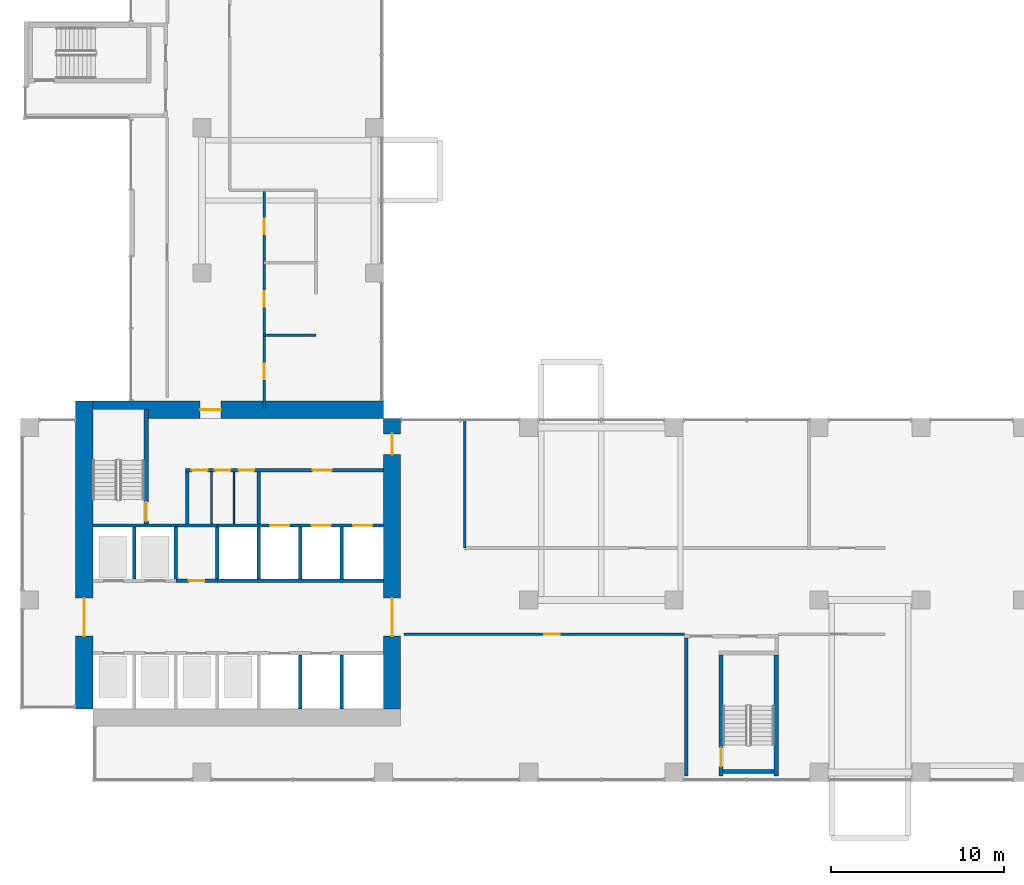
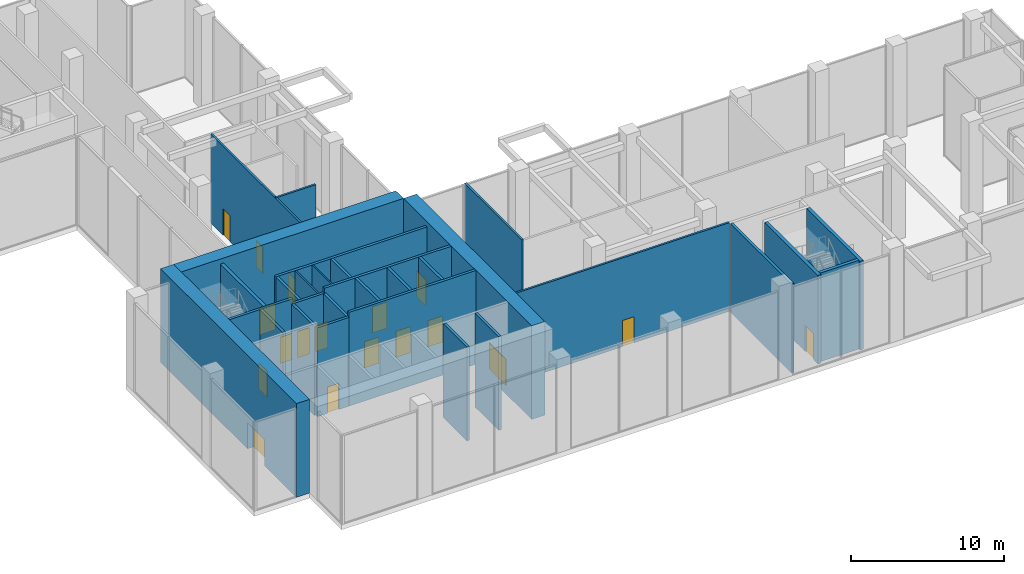
# One storey, part 11 of 18: 30 walls, 18 doors, 18 openings.
"""IFC4 building model written with IfcOpenShell, lengths in metres."""

from ifc_helpers import new_model, si_unit, direction, frame, frame_2d, origin, place, context, subcontext, project, spatial, rectangle, extrude, source, transform, mapped, material, layer, layer_set, type_object, element, fill, save


model = new_model("IFC4")

# Units and contexts
model_context = context("Model", 3, precision=1e-05, world=origin(), true_north=direction((0.0, 1.0)))
body_context = subcontext(model_context, "Body", "Model", "MODEL_VIEW")
ifc_project = project(units=[si_unit("LENGTHUNIT", "METRE"), si_unit("AREAUNIT", "SQUARE_METRE"), si_unit("VOLUMEUNIT", "CUBIC_METRE"), si_unit("PLANEANGLEUNIT", "RADIAN"), si_unit("MASSUNIT", "GRAM", prefix="KILO")], contexts=[model_context])

# Site, building, storey
site_placement = place(None, origin())
site = spatial("IfcSite", under=ifc_project, at=site_placement, CompositionType="ELEMENT")
building_placement = place(site_placement, origin())
building = spatial("IfcBuilding", under=site, at=building_placement, Name="Aurelian Terraces", CompositionType="ELEMENT")
storey_placement = place(building_placement, frame((0.0, 0.0, 170.3)))
storey = spatial("IfcBuildingStorey", under=building, at=storey_placement, Name="L37", CompositionType="ELEMENT", Elevation=170.3)

# Wall, opening, door
ifc_material_1 = material(Name="Concrete fc' 83 MPa", Category="concrete")
ifc_layer_1 = layer(ifc_material_1, 1.0)
ifc_layer_set_1 = layer_set([ifc_layer_1], Name="CORE WALL 1000 FC83")
wall_type_1 = type_object("IfcWallType", Name="CORE WALL 1000 FC83", PredefinedType="SHEAR", material=ifc_layer_set_1)
wall_1_placement = place(storey_placement, frame((3.7, 4.2, 0.0), z_axis=(0.0, 0.0, 1.0), x_axis=(0.0, 1.0, 0.0)))
wall_1 = element("IfcWall", 1, at=wall_1_placement, inside=storey, type_object=wall_type_1, Name="Core wall W L37", PredefinedType="SHEAR", context=body_context, shape_type="SweptSolid", body=[
    extrude(rectangle(XDim=17.8, YDim=1.0, at=frame_2d((8.9, 0.0))), origin(), (0.0, 0.0, 1.0), 7.5),
])
shared_shape_1 = source(origin(), body_context, "Body", "SweptSolid", [
    extrude(rectangle(XDim=2.2, YDim=2.1, at=frame_2d((1.1, 1.05))), frame((0.0, 0.51, 0.0), z_axis=(0.0, -1.0, 0.0), x_axis=(1.0, 0.0, 0.0)), (0.0, 0.0, 1.0), 1.02),
])
opening_1_placement = place(wall_1_placement, frame((4.2, 0.0, 0.0)))
opening_1 = element("IfcOpeningElement", 2, at=opening_1_placement, cuts=wall_1, Name="Opening 64024", PredefinedType="OPENING", context=body_context, shape_type="MappedRepresentation", body=[
    mapped(shared_shape_1, transform((0.0, 0.0, 0.0), scale=1.0)),
])
ifc_material_2 = material(Name="Steel door leaf", Category="steel")
door_type_1 = type_object("IfcDoorType", Name="Core double door 2200x2100", OperationType="DOUBLE_DOOR_SINGLE_SWING", PredefinedType="DOOR", material=ifc_material_2)
shared_shape_2 = source(origin(), body_context, "Body", "SweptSolid", [
    extrude(rectangle(XDim=2.2, YDim=2.1, at=frame_2d((1.1, 1.05))), frame((0.0, 0.025, 0.0), z_axis=(0.0, -1.0, 0.0), x_axis=(1.0, 0.0, 0.0)), (0.0, 0.0, 1.0), 0.05),
])
door_1_placement = place(opening_1_placement, origin())
door_1 = element("IfcDoor", 3, at=door_1_placement, inside=storey, type_object=door_type_1, Name="Core door 64024", OperationType="DOUBLE_DOOR_SINGLE_SWING", OverallHeight=2.1, OverallWidth=2.2, PredefinedType="DOOR", context=body_context, shape_type="MappedRepresentation", body=[
    mapped(shared_shape_2, transform((0.0, 0.0, 0.0), scale=1.0)),
])
fill(opening_1, door_1)

# Wall, openings, doors
wall_2_placement = place(storey_placement, frame((21.5, 4.2, 0.0), z_axis=(0.0, 0.0, 1.0), x_axis=(0.0, 1.0, 0.0)))
wall_2 = element("IfcWall", 4, at=wall_2_placement, inside=storey, type_object=wall_type_1, Name="Core wall E L37", PredefinedType="SHEAR", context=body_context, shape_type="SweptSolid", body=[
    extrude(rectangle(XDim=16.8, YDim=1.0, at=frame_2d((8.4, 0.0))), origin(), (0.0, 0.0, 1.0), 7.5),
])
opening_2_placement = place(wall_2_placement, frame((4.2, 0.0, 0.0)))
opening_2 = element("IfcOpeningElement", 5, at=opening_2_placement, cuts=wall_2, Name="Opening 64023", PredefinedType="OPENING", context=body_context, shape_type="MappedRepresentation", body=[
    mapped(shared_shape_1, transform((0.0, 0.0, 0.0), scale=1.0)),
])
shared_shape_3 = source(origin(), body_context, "Body", "SweptSolid", [
    extrude(rectangle(XDim=1.2, YDim=2.1, at=frame_2d((0.6, 1.05))), frame((0.0, 0.51, 0.0), z_axis=(0.0, -1.0, 0.0), x_axis=(1.0, 0.0, 0.0)), (0.0, 0.0, 1.0), 1.02),
])
opening_3_placement = place(wall_2_placement, frame((14.7, 0.0, 0.0)))
opening_3 = element("IfcOpeningElement", 6, at=opening_3_placement, cuts=wall_2, Name="Opening 64026", PredefinedType="OPENING", context=body_context, shape_type="MappedRepresentation", body=[
    mapped(shared_shape_3, transform((0.0, 0.0, 0.0), scale=1.0)),
])
door_type_2 = type_object("IfcDoorType", Name="Core fire door 1200x2100 right", OperationType="SINGLE_SWING_RIGHT", PredefinedType="DOOR", material=ifc_material_2)
shared_shape_4 = source(origin(), body_context, "Body", "SweptSolid", [
    extrude(rectangle(XDim=1.2, YDim=2.1, at=frame_2d((0.6, 1.05))), frame((0.0, 0.025, 0.0), z_axis=(0.0, -1.0, 0.0), x_axis=(1.0, 0.0, 0.0)), (0.0, 0.0, 1.0), 0.05),
])
door_2_placement = place(opening_3_placement, origin())
door_2 = element("IfcDoor", 7, at=door_2_placement, inside=storey, type_object=door_type_2, Name="Core door 64026", OperationType="SINGLE_SWING_RIGHT", OverallHeight=2.1, OverallWidth=1.2, PredefinedType="DOOR", context=body_context, shape_type="MappedRepresentation", body=[
    mapped(shared_shape_4, transform((0.0, 0.0, 0.0), scale=1.0)),
])
fill(opening_3, door_2)
door_3_placement = place(opening_2_placement, origin())
door_3 = element("IfcDoor", 8, at=door_3_placement, inside=storey, type_object=door_type_1, Name="Core door 64023", OperationType="DOUBLE_DOOR_SINGLE_SWING", OverallHeight=2.1, OverallWidth=2.2, PredefinedType="DOOR", context=body_context, shape_type="MappedRepresentation", body=[
    mapped(shared_shape_2, transform((0.0, 0.0, 0.0), scale=1.0)),
])
fill(opening_2, door_3)

# Walls
ifc_material_3 = material(Name="Gypsum board on steel studs", Category="steel")
ifc_layer_2 = layer(ifc_material_3, 0.1)
ifc_layer_set_2 = layer_set([ifc_layer_2], Name="Core partition 100")
wall_type_2 = type_object("IfcWallType", Name="Core partition 100", PredefinedType="PARTITIONING", material=ifc_layer_set_2)
wall_3_placement = place(storey_placement, frame((11.05, 14.9, 0.0), z_axis=(0.0, 0.0, 1.0), x_axis=(0.0, 1.0, 0.0)))
element("IfcWall", 9, at=wall_3_placement, inside=storey, type_object=wall_type_2, Name="L37 core wall CP-SV1", PredefinedType="PARTITIONING", context=body_context, shape_type="SweptSolid", body=[
    extrude(rectangle(XDim=3.0, YDim=0.1, at=frame_2d((1.5, 0.0))), origin(), (0.0, 0.0, 1.0), 7.1),
])
ifc_layer_3 = layer(ifc_material_3, 0.2)
ifc_layer_set_3 = layer_set([ifc_layer_3], Name="Core partition 200")
wall_type_3 = type_object("IfcWallType", Name="Core partition 200", PredefinedType="PARTITIONING", material=ifc_layer_set_3)
wall_4_placement = place(storey_placement, frame((9.65, 14.9, 0.0), z_axis=(0.0, 0.0, 1.0), x_axis=(0.0, 1.0, 0.0)))
element("IfcWall", 10, at=wall_4_placement, inside=storey, type_object=wall_type_3, Name="L37 core wall CP-VEST", PredefinedType="PARTITIONING", context=body_context, shape_type="SweptSolid", body=[
    extrude(rectangle(XDim=3.0, YDim=0.2, at=frame_2d((1.5, 0.0))), origin(), (0.0, 0.0, 1.0), 7.1),
])

# Wall, openings, doors
wall_5_placement = place(storey_placement, frame((9.55, 18.0, 0.0), z_axis=(0.0, 0.0, 1.0), x_axis=(1.0, 0.0, 0.0)))
wall_5 = element("IfcWall", 11, at=wall_5_placement, inside=storey, type_object=wall_type_3, Name="L37 core wall CP-NORTH", PredefinedType="PARTITIONING", context=body_context, shape_type="SweptSolid", body=[
    extrude(rectangle(XDim=11.45, YDim=0.2, at=frame_2d((5.725, 0.0))), origin(), (0.0, 0.0, 1.0), 7.1),
])
shared_shape_5 = source(origin(), body_context, "Body", "SweptSolid", [
    extrude(rectangle(XDim=0.9, YDim=2.1, at=frame_2d((0.45, 1.05))), frame((0.0, 0.11, 0.0), z_axis=(0.0, -1.0, 0.0), x_axis=(1.0, 0.0, 0.0)), (0.0, 0.0, 1.0), 0.22),
])
opening_4_placement = place(wall_5_placement, frame((0.375, 0.0, 0.0)))
opening_4 = element("IfcOpeningElement", 12, at=opening_4_placement, cuts=wall_5, Name="Opening 64013", PredefinedType="OPENING", context=body_context, shape_type="MappedRepresentation", body=[
    mapped(shared_shape_5, transform((0.0, 0.0, 0.0), scale=1.0)),
])
opening_5_placement = place(wall_5_placement, frame((1.7, 0.0, 0.0)))
opening_5 = element("IfcOpeningElement", 13, at=opening_5_placement, cuts=wall_5, Name="Opening 64014", PredefinedType="OPENING", context=body_context, shape_type="MappedRepresentation", body=[
    mapped(shared_shape_5, transform((0.0, 0.0, 0.0), scale=1.0)),
])
opening_6_placement = place(wall_5_placement, frame((3.075, 0.0, 0.0)))
opening_6 = element("IfcOpeningElement", 14, at=opening_6_placement, cuts=wall_5, Name="Opening 64015", PredefinedType="OPENING", context=body_context, shape_type="MappedRepresentation", body=[
    mapped(shared_shape_5, transform((0.0, 0.0, 0.0), scale=1.0)),
])
shared_shape_6 = source(origin(), body_context, "Body", "SweptSolid", [
    extrude(rectangle(XDim=1.1, YDim=2.1, at=frame_2d((0.55, 1.05))), frame((0.0, 0.11, 0.0), z_axis=(0.0, -1.0, 0.0), x_axis=(1.0, 0.0, 0.0)), (0.0, 0.0, 1.0), 0.22),
])
opening_7_placement = place(wall_5_placement, frame((7.35, 0.0, 0.0)))
opening_7 = element("IfcOpeningElement", 15, at=opening_7_placement, cuts=wall_5, Name="Opening 64016", PredefinedType="OPENING", context=body_context, shape_type="MappedRepresentation", body=[
    mapped(shared_shape_6, transform((0.0, 0.0, 0.0), scale=1.0)),
])
door_type_3 = type_object("IfcDoorType", Name="Core riser door 900x2100 right", OperationType="SINGLE_SWING_RIGHT", PredefinedType="DOOR", material=ifc_material_2)
shared_shape_7 = source(origin(), body_context, "Body", "SweptSolid", [
    extrude(rectangle(XDim=0.9, YDim=2.1, at=frame_2d((0.45, 1.05))), frame((0.0, 0.025, 0.0), z_axis=(0.0, -1.0, 0.0), x_axis=(1.0, 0.0, 0.0)), (0.0, 0.0, 1.0), 0.05),
])
door_4_placement = place(opening_4_placement, origin())
door_4 = element("IfcDoor", 16, at=door_4_placement, inside=storey, type_object=door_type_3, Name="Room door 64013", OperationType="SINGLE_SWING_RIGHT", OverallHeight=2.1, OverallWidth=0.9, PredefinedType="DOOR", context=body_context, shape_type="MappedRepresentation", body=[
    mapped(shared_shape_7, transform((0.0, 0.0, 0.0), scale=1.0)),
])
fill(opening_4, door_4)
door_type_4 = type_object("IfcDoorType", Name="Core service door 900x2100", OperationType="SINGLE_SWING_LEFT", PredefinedType="DOOR", material=ifc_material_2)
door_5_placement = place(opening_5_placement, origin())
door_5 = element("IfcDoor", 17, at=door_5_placement, inside=storey, type_object=door_type_4, Name="Room door 64014", OperationType="SINGLE_SWING_LEFT", OverallHeight=2.1, OverallWidth=0.9, PredefinedType="DOOR", context=body_context, shape_type="MappedRepresentation", body=[
    mapped(shared_shape_7, transform((0.0, 0.0, 0.0), scale=1.0)),
])
fill(opening_5, door_5)
door_type_5 = type_object("IfcDoorType", Name="Core service door 900x2100 right", OperationType="SINGLE_SWING_RIGHT", PredefinedType="DOOR", material=ifc_material_2)
door_6_placement = place(opening_6_placement, origin())
door_6 = element("IfcDoor", 18, at=door_6_placement, inside=storey, type_object=door_type_5, Name="Room door 64015", OperationType="SINGLE_SWING_RIGHT", OverallHeight=2.1, OverallWidth=0.9, PredefinedType="DOOR", context=body_context, shape_type="MappedRepresentation", body=[
    mapped(shared_shape_7, transform((0.0, 0.0, 0.0), scale=1.0)),
])
fill(opening_6, door_6)
door_type_6 = type_object("IfcDoorType", Name="Core fire door 1100x2100", OperationType="SINGLE_SWING_LEFT", PredefinedType="DOOR", material=ifc_material_2)
shared_shape_8 = source(origin(), body_context, "Body", "SweptSolid", [
    extrude(rectangle(XDim=1.1, YDim=2.1, at=frame_2d((0.55, 1.05))), frame((0.0, 0.025, 0.0), z_axis=(0.0, -1.0, 0.0), x_axis=(1.0, 0.0, 0.0)), (0.0, 0.0, 1.0), 0.05),
])
door_7_placement = place(opening_7_placement, origin())
door_7 = element("IfcDoor", 19, at=door_7_placement, inside=storey, type_object=door_type_6, Name="Ff lobby door 64016", OperationType="SINGLE_SWING_LEFT", OverallHeight=2.1, OverallWidth=1.1, PredefinedType="DOOR", context=body_context, shape_type="MappedRepresentation", body=[
    mapped(shared_shape_8, transform((0.0, 0.0, 0.0), scale=1.0)),
])
fill(opening_7, door_7)

# Walls
wall_6_placement = place(storey_placement, frame((38.5, 0.3, 0.0), z_axis=(0.0, 0.0, 1.0), x_axis=(0.0, 1.0, 0.0)))
element("IfcWall", 20, at=wall_6_placement, inside=storey, type_object=wall_type_3, Name="L37 core wall ST-S2-VW", PredefinedType="PARTITIONING", context=body_context, shape_type="SweptSolid", body=[
    extrude(rectangle(XDim=8.0, YDim=0.2, at=frame_2d((4.0, 0.0))), origin(), (0.0, 0.0, 1.0), 7.1),
])
ifc_material_4 = material(Name="Concrete fc' 40 MPa", Category="concrete")
ifc_layer_4 = layer(ifc_material_4, 0.2)
ifc_layer_set_4 = layer_set([ifc_layer_4], Name="Lift shaft wall 200")
wall_type_4 = type_object("IfcWallType", Name="Lift shaft wall 200", PredefinedType="SOLIDWALL", material=ifc_layer_set_4)
wall_7_placement = place(storey_placement, frame((9.0, 11.7, 0.0), z_axis=(0.0, 0.0, 1.0), x_axis=(0.0, 1.0, 0.0)))
element("IfcWall", 21, at=wall_7_placement, inside=storey, type_object=wall_type_4, Name="L37 core wall CD-B2", PredefinedType="SOLIDWALL", context=body_context, shape_type="SweptSolid", body=[
    extrude(rectangle(XDim=3.0, YDim=0.2, at=frame_2d((1.5, 0.0))), origin(), (0.0, 0.0, 1.0), 7.1),
])

# Wall, opening, door
wall_8_placement = place(storey_placement, frame((9.0, 11.6, 0.0), z_axis=(0.0, 0.0, 1.0), x_axis=(1.0, 0.0, 0.0)))
wall_8 = element("IfcWall", 22, at=wall_8_placement, inside=storey, type_object=wall_type_4, Name="L37 core wall CF-BF2", PredefinedType="SOLIDWALL", context=body_context, shape_type="SweptSolid", body=[
    extrude(rectangle(XDim=2.4, YDim=0.2, at=frame_2d((1.2, 0.0))), origin(), (0.0, 0.0, 1.0), 7.1),
])
opening_8_placement = place(wall_8_placement, frame((0.75, 0.0, 0.0)))
opening_8 = element("IfcOpeningElement", 23, at=opening_8_placement, cuts=wall_8, Name="Opening 64008", PredefinedType="OPENING", context=body_context, shape_type="MappedRepresentation", body=[
    mapped(shared_shape_5, transform((0.0, 0.0, 0.0), scale=1.0)),
])
door_8_placement = place(opening_8_placement, origin())
door_8 = element("IfcDoor", 24, at=door_8_placement, inside=storey, type_object=door_type_4, Name="Room door 64008", OperationType="SINGLE_SWING_LEFT", OverallHeight=2.1, OverallWidth=0.9, PredefinedType="DOOR", context=body_context, shape_type="MappedRepresentation", body=[
    mapped(shared_shape_7, transform((0.0, 0.0, 0.0), scale=1.0)),
])
fill(opening_8, door_8)

# Wall
wall_9_placement = place(storey_placement, frame((11.4, 11.6, 0.0), z_axis=(0.0, 0.0, 1.0), x_axis=(1.0, 0.0, 0.0)))
element("IfcWall", 25, at=wall_9_placement, inside=storey, type_object=wall_type_4, Name="L37 core wall CF-BF3", PredefinedType="SOLIDWALL", context=body_context, shape_type="SweptSolid", body=[
    extrude(rectangle(XDim=9.6, YDim=0.2, at=frame_2d((4.8, 0.0))), origin(), (0.0, 0.0, 1.0), 7.5),
])

# Wall, opening, door
ifc_layer_5 = layer(ifc_material_3, 0.15)
ifc_layer_set_5 = layer_set([ifc_layer_5], Name="Special partition 150")
wall_type_5 = type_object("IfcWallType", Name="Special partition 150", PredefinedType="PARTITIONING", material=ifc_layer_set_5)
wall_10_placement = place(storey_placement, frame((22.2, 8.5, 0.0), z_axis=(0.0, 0.0, 1.0), x_axis=(1.0, 0.0, 0.0)))
wall_10 = element("IfcWall", 26, at=wall_10_placement, inside=storey, type_object=wall_type_5, Name="L37 partition W01", PredefinedType="PARTITIONING", context=body_context, shape_type="SweptSolid", body=[
    extrude(rectangle(XDim=16.2, YDim=0.15, at=frame_2d((8.1, 0.0))), origin(), (0.0, 0.0, 1.0), 7.1),
])
shared_shape_9 = source(origin(), body_context, "Body", "SweptSolid", [
    extrude(rectangle(XDim=0.9, YDim=2.1, at=frame_2d((0.45, 1.05))), frame((0.0, 0.085, 0.0), z_axis=(0.0, -1.0, 0.0), x_axis=(1.0, 0.0, 0.0)), (0.0, 0.0, 1.0), 0.17),
])
opening_9_placement = place(wall_10_placement, frame((8.1, 0.0, 0.0)))
opening_9 = element("IfcOpeningElement", 27, at=opening_9_placement, cuts=wall_10, Name="Opening 74001", PredefinedType="OPENING", context=body_context, shape_type="MappedRepresentation", body=[
    mapped(shared_shape_9, transform((0.0, 0.0, 0.0), scale=1.0)),
])
ifc_material_5 = material(Name="Timber door leaf", Category="wood")
door_type_7 = type_object("IfcDoorType", Name="Special door 900x2100", OperationType="SINGLE_SWING_LEFT", PredefinedType="DOOR", material=ifc_material_5)
door_9_placement = place(opening_9_placement, origin())
door_9 = element("IfcDoor", 28, at=door_9_placement, inside=storey, type_object=door_type_7, Name="Door 74001", OperationType="SINGLE_SWING_LEFT", OverallHeight=2.1, OverallWidth=0.9, PredefinedType="DOOR", context=body_context, shape_type="MappedRepresentation", body=[
    mapped(shared_shape_7, transform((0.0, 0.0, 0.0), scale=1.0)),
])
fill(opening_9, door_9)

# Wall
wall_11_placement = place(storey_placement, frame((14.1, 25.8, 0.0), z_axis=(0.0, 0.0, 1.0), x_axis=(1.0, 0.0, 0.0)))
element("IfcWall", 29, at=wall_11_placement, inside=storey, type_object=wall_type_5, Name="L37 partition W04", PredefinedType="PARTITIONING", context=body_context, shape_type="SweptSolid", body=[
    extrude(rectangle(XDim=3.0, YDim=0.15, at=frame_2d((1.5, 0.0))), origin(), (0.0, 0.0, 1.0), 7.1),
])

# Wall, openings, doors
wall_12_placement = place(storey_placement, frame((14.1, 21.6, 0.0), z_axis=(0.0, 0.0, 1.0), x_axis=(0.0, 1.0, 0.0)))
wall_12 = element("IfcWall", 30, at=wall_12_placement, inside=storey, type_object=wall_type_5, Name="L37 partition W10", PredefinedType="PARTITIONING", context=body_context, shape_type="SweptSolid", body=[
    extrude(rectangle(XDim=12.6, YDim=0.15, at=frame_2d((6.3, 0.0))), origin(), (0.0, 0.0, 1.0), 7.1),
])
opening_10_placement = place(wall_12_placement, frame((1.65, 0.0, 0.0)))
opening_10 = element("IfcOpeningElement", 31, at=opening_10_placement, cuts=wall_12, Name="Opening 74008", PredefinedType="OPENING", context=body_context, shape_type="MappedRepresentation", body=[
    mapped(shared_shape_9, transform((0.0, 0.0, 0.0), scale=1.0)),
])
opening_11_placement = place(wall_12_placement, frame((5.85, 0.0, 0.0)))
opening_11 = element("IfcOpeningElement", 32, at=opening_11_placement, cuts=wall_12, Name="Opening 74009", PredefinedType="OPENING", context=body_context, shape_type="MappedRepresentation", body=[
    mapped(shared_shape_9, transform((0.0, 0.0, 0.0), scale=1.0)),
])
opening_12_placement = place(wall_12_placement, frame((10.05, 0.0, 0.0)))
opening_12 = element("IfcOpeningElement", 33, at=opening_12_placement, cuts=wall_12, Name="Opening 74010", PredefinedType="OPENING", context=body_context, shape_type="MappedRepresentation", body=[
    mapped(shared_shape_9, transform((0.0, 0.0, 0.0), scale=1.0)),
])
door_type_8 = type_object("IfcDoorType", Name="Special door 900x2100 right", OperationType="SINGLE_SWING_RIGHT", PredefinedType="DOOR", material=ifc_material_5)
door_10_placement = place(opening_10_placement, origin())
door_10 = element("IfcDoor", 34, at=door_10_placement, inside=storey, type_object=door_type_8, Name="Door 74008", OperationType="SINGLE_SWING_RIGHT", OverallHeight=2.1, OverallWidth=0.9, PredefinedType="DOOR", context=body_context, shape_type="MappedRepresentation", body=[
    mapped(shared_shape_7, transform((0.0, 0.0, 0.0), scale=1.0)),
])
fill(opening_10, door_10)
door_11_placement = place(opening_11_placement, origin())
door_11 = element("IfcDoor", 35, at=door_11_placement, inside=storey, type_object=door_type_7, Name="Door 74009", OperationType="SINGLE_SWING_LEFT", OverallHeight=2.1, OverallWidth=0.9, PredefinedType="DOOR", context=body_context, shape_type="MappedRepresentation", body=[
    mapped(shared_shape_7, transform((0.0, 0.0, 0.0), scale=1.0)),
])
fill(opening_11, door_11)
door_12_placement = place(opening_12_placement, origin())
door_12 = element("IfcDoor", 36, at=door_12_placement, inside=storey, type_object=door_type_8, Name="Door 74010", OperationType="SINGLE_SWING_RIGHT", OverallHeight=2.1, OverallWidth=0.9, PredefinedType="DOOR", context=body_context, shape_type="MappedRepresentation", body=[
    mapped(shared_shape_7, transform((0.0, 0.0, 0.0), scale=1.0)),
])
fill(opening_12, door_12)

# Wall
wall_13_placement = place(storey_placement, frame((25.7, 13.5, 0.0), z_axis=(0.0, 0.0, 1.0), x_axis=(0.0, 1.0, 0.0)))
element("IfcWall", 37, at=wall_13_placement, inside=storey, type_object=wall_type_5, Name="L37 partition W12", PredefinedType="PARTITIONING", context=body_context, shape_type="SweptSolid", body=[
    extrude(rectangle(XDim=7.5, YDim=0.15, at=frame_2d((3.75, 0.0))), origin(), (0.0, 0.0, 1.0), 7.1),
])

# Wall, opening, door
ifc_layer_6 = layer(ifc_material_4, 0.25)
ifc_layer_set_6 = layer_set([ifc_layer_6], Name="Stair enclosure wall 250")
wall_type_6 = type_object("IfcWallType", Name="Stair enclosure wall 250", PredefinedType="SOLIDWALL", material=ifc_layer_set_6)
wall_14_placement = place(storey_placement, frame((7.275, 14.9, 0.0), z_axis=(0.0, 0.0, 1.0), x_axis=(0.0, 1.0, 0.0)))
wall_14 = element("IfcWall", 38, at=wall_14_placement, inside=storey, type_object=wall_type_6, Name="L37 core wall ST-S1-E", PredefinedType="SOLIDWALL", context=body_context, shape_type="SweptSolid", body=[
    extrude(rectangle(XDim=6.6, YDim=0.25, at=frame_2d((3.3, 0.0))), origin(), (0.0, 0.0, 1.0), 7.1),
])
shared_shape_10 = source(origin(), body_context, "Body", "SweptSolid", [
    extrude(rectangle(XDim=1.1, YDim=2.1, at=frame_2d((0.55, 1.05))), frame((0.0, 0.135, 0.0), z_axis=(0.0, -1.0, 0.0), x_axis=(1.0, 0.0, 0.0)), (0.0, 0.0, 1.0), 0.27),
])
opening_13_placement = place(wall_14_placement, frame((0.15, 0.0, 0.0)))
opening_13 = element("IfcOpeningElement", 39, at=opening_13_placement, cuts=wall_14, Name="Opening 64012", PredefinedType="OPENING", context=body_context, shape_type="MappedRepresentation", body=[
    mapped(shared_shape_10, transform((0.0, 0.0, 0.0), scale=1.0)),
])
door_13_placement = place(opening_13_placement, origin())
door_13 = element("IfcDoor", 40, at=door_13_placement, inside=storey, type_object=door_type_6, Name="Stair door 64012", OperationType="SINGLE_SWING_LEFT", OverallHeight=2.1, OverallWidth=1.1, PredefinedType="DOOR", context=body_context, shape_type="MappedRepresentation", body=[
    mapped(shared_shape_8, transform((0.0, 0.0, 0.0), scale=1.0)),
])
fill(opening_13, door_13)

wall_15_placement = place(storey_placement, frame((40.525, 0.3, 0.0), z_axis=(0.0, 0.0, 1.0), x_axis=(0.0, 1.0, 0.0)))
wall_15 = element("IfcWall", 41, at=wall_15_placement, inside=storey, type_object=wall_type_6, Name="L37 core wall ST-S2-W", PredefinedType="SOLIDWALL", context=body_context, shape_type="SweptSolid", body=[
    extrude(rectangle(XDim=7.0, YDim=0.25, at=frame_2d((3.5, 0.0))), origin(), (0.0, 0.0, 1.0), 7.1),
])
opening_14_placement = place(wall_15_placement, frame((0.55, 0.0, 0.0)))
opening_14 = element("IfcOpeningElement", 42, at=opening_14_placement, cuts=wall_15, Name="Opening 64017", PredefinedType="OPENING", context=body_context, shape_type="MappedRepresentation", body=[
    mapped(shared_shape_10, transform((0.0, 0.0, 0.0), scale=1.0)),
])
door_type_9 = type_object("IfcDoorType", Name="Core fire door 1100x2100 right", OperationType="SINGLE_SWING_RIGHT", PredefinedType="DOOR", material=ifc_material_2)
door_14_placement = place(opening_14_placement, origin())
door_14 = element("IfcDoor", 43, at=door_14_placement, inside=storey, type_object=door_type_9, Name="Stair door 64017", OperationType="SINGLE_SWING_RIGHT", OverallHeight=2.1, OverallWidth=1.1, PredefinedType="DOOR", context=body_context, shape_type="MappedRepresentation", body=[
    mapped(shared_shape_8, transform((0.0, 0.0, 0.0), scale=1.0)),
])
fill(opening_14, door_14)

# Wall
wall_16_placement = place(storey_placement, frame((40.65, 0.575, 0.0), z_axis=(0.0, 0.0, 1.0), x_axis=(1.0, 0.0, 0.0)))
element("IfcWall", 44, at=wall_16_placement, inside=storey, type_object=wall_type_6, Name="L37 core wall ST-S2-SS", PredefinedType="SOLIDWALL", context=body_context, shape_type="SweptSolid", body=[
    extrude(rectangle(XDim=2.95, YDim=0.25, at=frame_2d((1.475, 0.0))), origin(), (0.0, 0.0, 1.0), 7.1),
])

# Wall, opening, door
shared_shape_11 = source(origin(), body_context, "Body", "SweptSolid", [
    extrude(rectangle(XDim=16.8, YDim=1.0, at=frame_2d((8.4, 0.0))), origin(), (0.0, 0.0, 1.0), 7.5),
])
wall_17_placement = place(storey_placement, frame((4.2, 21.5, 0.0), z_axis=(0.0, 0.0, 1.0), x_axis=(1.0, 0.0, 0.0)))
wall_17 = element("IfcWall", 45, at=wall_17_placement, inside=storey, type_object=wall_type_1, Name="Core wall N L37", PredefinedType="SHEAR", context=body_context, shape_type="MappedRepresentation", body=[
    mapped(shared_shape_11, transform((0.0, 0.0, 0.0), scale=1.0)),
])
opening_15_placement = place(wall_17_placement, frame((6.2, 0.0, 0.0)))
opening_15 = element("IfcOpeningElement", 46, at=opening_15_placement, cuts=wall_17, Name="Opening 64025", PredefinedType="OPENING", context=body_context, shape_type="MappedRepresentation", body=[
    mapped(shared_shape_3, transform((0.0, 0.0, 0.0), scale=1.0)),
])
door_type_10 = type_object("IfcDoorType", Name="Core fire door 1200x2100", OperationType="SINGLE_SWING_LEFT", PredefinedType="DOOR", material=ifc_material_2)
door_15_placement = place(opening_15_placement, origin())
door_15 = element("IfcDoor", 47, at=door_15_placement, inside=storey, type_object=door_type_10, Name="Core door 64025", OperationType="SINGLE_SWING_LEFT", OverallHeight=2.1, OverallWidth=1.2, PredefinedType="DOOR", context=body_context, shape_type="MappedRepresentation", body=[
    mapped(shared_shape_4, transform((0.0, 0.0, 0.0), scale=1.0)),
])
fill(opening_15, door_15)

# Walls
shared_shape_12 = source(origin(), body_context, "Body", "SweptSolid", [
    extrude(rectangle(XDim=3.1, YDim=0.2, at=frame_2d((1.55, 0.0))), origin(), (0.0, 0.0, 1.0), 7.5),
])
for number, where, z_axis, x_axis, name in (
    (48, (16.2, 4.2, 0.0), (0.0, 0.0, 1.0), (0.0, 1.0, 0.0), "L37 core wall CD-A5"),
    (49, (18.6, 4.2, 0.0), (0.0, 0.0, 1.0), (0.0, 1.0, 0.0), "L37 core wall CD-A6"),
):
    element("IfcWall", number, at=place(storey_placement, frame(where, z_axis=z_axis, x_axis=x_axis)), inside=storey, type_object=wall_type_4, Name=name, PredefinedType="SOLIDWALL", context=body_context, shape_type="MappedRepresentation", body=[
        mapped(shared_shape_12, transform((0.0, 0.0, 0.0), scale=1.0)),
    ])
shared_shape_13 = source(origin(), body_context, "Body", "SweptSolid", [
    extrude(rectangle(XDim=3.0, YDim=0.2, at=frame_2d((1.5, 0.0))), origin(), (0.0, 0.0, 1.0), 7.5),
])
for number, where, z_axis, x_axis, name in (
    (50, (6.6, 11.7, 0.0), (0.0, 0.0, 1.0), (0.0, 1.0, 0.0), "L37 core wall CD-B1"),
    (51, (13.8, 11.7, 0.0), (0.0, 0.0, 1.0), (0.0, 1.0, 0.0), "L37 core wall CD-B4"),
    (52, (16.2, 11.7, 0.0), (0.0, 0.0, 1.0), (0.0, 1.0, 0.0), "L37 core wall CD-B5"),
    (53, (18.6, 11.7, 0.0), (0.0, 0.0, 1.0), (0.0, 1.0, 0.0), "L37 core wall CD-B6"),
):
    element("IfcWall", number, at=place(storey_placement, frame(where, z_axis=z_axis, x_axis=x_axis)), inside=storey, type_object=wall_type_4, Name=name, PredefinedType="SOLIDWALL", context=body_context, shape_type="MappedRepresentation", body=[
        mapped(shared_shape_13, transform((0.0, 0.0, 0.0), scale=1.0)),
    ])
shared_shape_14 = source(origin(), body_context, "Body", "SweptSolid", [
    extrude(rectangle(XDim=3.0, YDim=0.2, at=frame_2d((1.5, 0.0))), origin(), (0.0, 0.0, 1.0), 7.1),
])
wall_18_placement = place(storey_placement, frame((11.4, 11.7, 0.0), z_axis=(0.0, 0.0, 1.0), x_axis=(0.0, 1.0, 0.0)))
element("IfcWall", 54, at=wall_18_placement, inside=storey, type_object=wall_type_4, Name="L37 core wall CD-B3", PredefinedType="SOLIDWALL", context=body_context, shape_type="MappedRepresentation", body=[
    mapped(shared_shape_14, transform((0.0, 0.0, 0.0), scale=1.0)),
])
shared_shape_15 = source(origin(), body_context, "Body", "SweptSolid", [
    extrude(rectangle(XDim=4.8, YDim=0.2, at=frame_2d((2.4, 0.0))), origin(), (0.0, 0.0, 1.0), 7.5),
])
wall_19_placement = place(storey_placement, frame((4.2, 14.8, 0.0), z_axis=(0.0, 0.0, 1.0), x_axis=(1.0, 0.0, 0.0)))
element("IfcWall", 55, at=wall_19_placement, inside=storey, type_object=wall_type_4, Name="L37 core wall CF-BB1", PredefinedType="SOLIDWALL", context=body_context, shape_type="MappedRepresentation", body=[
    mapped(shared_shape_15, transform((0.0, 0.0, 0.0), scale=1.0)),
])
shared_shape_16 = source(origin(), body_context, "Body", "SweptSolid", [
    extrude(rectangle(XDim=2.4, YDim=0.2, at=frame_2d((1.2, 0.0))), origin(), (0.0, 0.0, 1.0), 7.1),
])
wall_20_placement = place(storey_placement, frame((9.0, 14.8, 0.0), z_axis=(0.0, 0.0, 1.0), x_axis=(1.0, 0.0, 0.0)))
element("IfcWall", 56, at=wall_20_placement, inside=storey, type_object=wall_type_4, Name="L37 core wall CF-BB2", PredefinedType="SOLIDWALL", context=body_context, shape_type="MappedRepresentation", body=[
    mapped(shared_shape_16, transform((0.0, 0.0, 0.0), scale=1.0)),
])

# Wall, openings, doors
shared_shape_17 = source(origin(), body_context, "Body", "SweptSolid", [
    extrude(rectangle(XDim=9.6, YDim=0.2, at=frame_2d((4.8, 0.0))), origin(), (0.0, 0.0, 1.0), 7.5),
])
wall_21_placement = place(storey_placement, frame((11.4, 14.8, 0.0), z_axis=(0.0, 0.0, 1.0), x_axis=(1.0, 0.0, 0.0)))
wall_21 = element("IfcWall", 57, at=wall_21_placement, inside=storey, type_object=wall_type_4, Name="L37 core wall CF-BB3", PredefinedType="SOLIDWALL", context=body_context, shape_type="MappedRepresentation", body=[
    mapped(shared_shape_17, transform((0.0, 0.0, 0.0), scale=1.0)),
])
opening_16_placement = place(wall_21_placement, frame((3.05, 0.0, 0.0)))
opening_16 = element("IfcOpeningElement", 58, at=opening_16_placement, cuts=wall_21, Name="Opening 64009", PredefinedType="OPENING", context=body_context, shape_type="MappedRepresentation", body=[
    mapped(shared_shape_6, transform((0.0, 0.0, 0.0), scale=1.0)),
])
opening_17_placement = place(wall_21_placement, frame((5.45, 0.0, 0.0)))
opening_17 = element("IfcOpeningElement", 59, at=opening_17_placement, cuts=wall_21, Name="Opening 64010", PredefinedType="OPENING", context=body_context, shape_type="MappedRepresentation", body=[
    mapped(shared_shape_6, transform((0.0, 0.0, 0.0), scale=1.0)),
])
opening_18_placement = place(wall_21_placement, frame((7.85, 0.0, 0.0)))
opening_18 = element("IfcOpeningElement", 60, at=opening_18_placement, cuts=wall_21, Name="Opening 64011", PredefinedType="OPENING", context=body_context, shape_type="MappedRepresentation", body=[
    mapped(shared_shape_6, transform((0.0, 0.0, 0.0), scale=1.0)),
])
ifc_material_6 = material(Name="Stainless steel", Category="steel")
door_type_11 = type_object("IfcDoorType", Name="Lift landing door 1100x2100", OperationType="SLIDING_TO_LEFT", PredefinedType="DOOR", material=ifc_material_6)
door_16_placement = place(opening_16_placement, origin())
door_16 = element("IfcDoor", 61, at=door_16_placement, inside=storey, type_object=door_type_11, Name="Lift landing door F1 L37", OperationType="SLIDING_TO_LEFT", OverallHeight=2.1, OverallWidth=1.1, PredefinedType="DOOR", context=body_context, shape_type="MappedRepresentation", body=[
    mapped(shared_shape_8, transform((0.0, 0.0, 0.0), scale=1.0)),
])
fill(opening_16, door_16)
door_17_placement = place(opening_17_placement, origin())
door_17 = element("IfcDoor", 62, at=door_17_placement, inside=storey, type_object=door_type_11, Name="Lift landing door F2 L37", OperationType="SLIDING_TO_LEFT", OverallHeight=2.1, OverallWidth=1.1, PredefinedType="DOOR", context=body_context, shape_type="MappedRepresentation", body=[
    mapped(shared_shape_8, transform((0.0, 0.0, 0.0), scale=1.0)),
])
fill(opening_17, door_17)
door_18_placement = place(opening_18_placement, origin())
door_18 = element("IfcDoor", 63, at=door_18_placement, inside=storey, type_object=door_type_11, Name="Lift landing door F3 L37", OperationType="SLIDING_TO_LEFT", OverallHeight=2.1, OverallWidth=1.1, PredefinedType="DOOR", context=body_context, shape_type="MappedRepresentation", body=[
    mapped(shared_shape_8, transform((0.0, 0.0, 0.0), scale=1.0)),
])
fill(opening_18, door_18)

# Walls
shared_shape_18 = source(origin(), body_context, "Body", "SweptSolid", [
    extrude(rectangle(XDim=3.0, YDim=0.2, at=frame_2d((1.5, 0.0))), origin(), (0.0, 0.0, 1.0), 7.1),
])
wall_22_placement = place(storey_placement, frame((13.8, 14.9, 0.0), z_axis=(0.0, 0.0, 1.0), x_axis=(0.0, 1.0, 0.0)))
element("IfcWall", 64, at=wall_22_placement, inside=storey, type_object=wall_type_3, Name="L37 core wall CP-FFL", PredefinedType="PARTITIONING", context=body_context, shape_type="MappedRepresentation", body=[
    mapped(shared_shape_18, transform((0.0, 0.0, 0.0), scale=1.0)),
])
shared_shape_19 = source(origin(), body_context, "Body", "SweptSolid", [
    extrude(rectangle(XDim=3.0, YDim=0.1, at=frame_2d((1.5, 0.0))), origin(), (0.0, 0.0, 1.0), 7.1),
])
wall_23_placement = place(storey_placement, frame((12.35, 14.9, 0.0), z_axis=(0.0, 0.0, 1.0), x_axis=(0.0, 1.0, 0.0)))
element("IfcWall", 65, at=wall_23_placement, inside=storey, type_object=wall_type_2, Name="L37 core wall CP-SV2", PredefinedType="PARTITIONING", context=body_context, shape_type="MappedRepresentation", body=[
    mapped(shared_shape_19, transform((0.0, 0.0, 0.0), scale=1.0)),
])
shared_shape_20 = source(origin(), body_context, "Body", "SweptSolid", [
    extrude(rectangle(XDim=7.0, YDim=0.25, at=frame_2d((3.5, 0.0))), origin(), (0.0, 0.0, 1.0), 7.1),
])
wall_24_placement = place(storey_placement, frame((43.725, 0.3, 0.0), z_axis=(0.0, 0.0, 1.0), x_axis=(0.0, 1.0, 0.0)))
element("IfcWall", 66, at=wall_24_placement, inside=storey, type_object=wall_type_6, Name="L37 core wall ST-S2-E", PredefinedType="SOLIDWALL", context=body_context, shape_type="MappedRepresentation", body=[
    mapped(shared_shape_20, transform((0.0, 0.0, 0.0), scale=1.0)),
])

save(model, "model.ifc")
